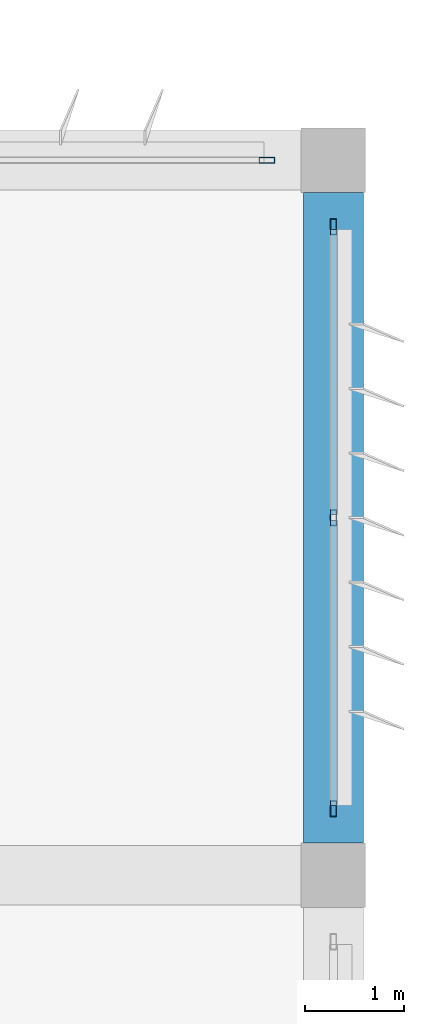
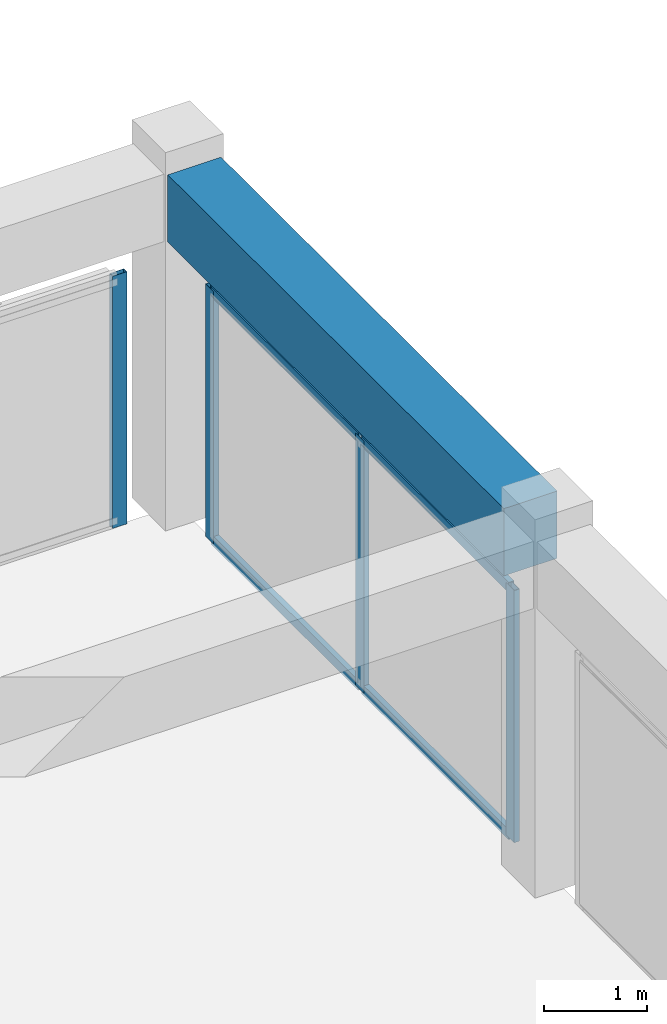
# One storey, part 31 of 56: 8 members, 1 beam, 2 elements without a shape of their own.
"""IFC4 building model written with IfcOpenShell, lengths in metres."""

from ifc_helpers import new_model, si_unit, direction, frame, origin, origin_2d, place, context, subcontext, project, spatial, rectangle, hollow_rectangle, extrude, material, material_profile, profile_set, type_object, element, aggregate, save


model = new_model("IFC4")

# Units and contexts
model_context = context("Model", 3, precision=1e-05, world=origin(), true_north=direction((0.0, 1.0)))
body_context = subcontext(model_context, "Body", "Model", "MODEL_VIEW")
ifc_project = project(units=[si_unit("LENGTHUNIT", "METRE"), si_unit("AREAUNIT", "SQUARE_METRE"), si_unit("VOLUMEUNIT", "CUBIC_METRE"), si_unit("PLANEANGLEUNIT", "RADIAN"), si_unit("MASSUNIT", "GRAM", prefix="KILO")], contexts=[model_context])

# Site, building, storey
site_placement = place(None, origin())
site = spatial("IfcSite", under=ifc_project, at=site_placement, CompositionType="ELEMENT")
building_placement = place(site_placement, origin())
building = spatial("IfcBuilding", under=site, at=building_placement, Name="Kazehaya Institute of Natural Sciences", CompositionType="ELEMENT")
storey_placement = place(building_placement, frame((0.0, 0.0, 28.800048828125)))
storey = spatial("IfcBuildingStorey", under=building, at=storey_placement, Name="L06", CompositionType="ELEMENT", Elevation=28.800048828125)

# Beam
ifc_material_1 = material(Name="Concrete Fc36", Category="concrete")
ifc_material_profile_1 = material_profile(ifc_material_1, rectangle(XDim=0.60009765625, YDim=0.800048828125, at=origin_2d()), Name="RC-600x800")
ifc_profile_set_1 = profile_set([ifc_material_profile_1], Name="Concrete Fc36")
beam_type = type_object("IfcBeamType", Name="BM-G-600x800", PredefinedType="BEAM", material=ifc_profile_set_1)
beam_placement = place(storey_placement, frame((119.39990234375, 28.72509765625, 3.829833984375), z_axis=(0.0, 1.0, 0.0), x_axis=(-1.0, 0.0, 0.0)))
element("IfcBeam", 1, at=beam_placement, inside=storey, type_object=beam_type, Name="L06 primary Y girder BMY-L06-1194-284", PredefinedType="BEAM", context=body_context, shape_type="SweptSolid", body=[
    extrude(rectangle(XDim=0.60009765625, YDim=0.800048828125, at=origin_2d()), origin(), (0.0, 0.0, 1.0), 6.5498046875),
])

# Curtain wall, member
ifc_material_2 = material(Name="Aluminium alloy A6063S-T5", Category="aluminium")
curtain_wall_type_1 = type_object("IfcCurtainWallType", Name="CW-SYS-04", PredefinedType="NOTDEFINED", material=ifc_material_2)
curtain_wall_1_placement = place(storey_placement, origin())
curtain_wall_1 = element("IfcCurtainWall", 2, at=curtain_wall_1_placement, inside=storey, type_object=curtain_wall_type_1, Name="L06 unitised curtain wall CW-L06-137", PredefinedType="NOTDEFINED")
ifc_material_profile_2 = material_profile(ifc_material_2, hollow_rectangle(XDim=0.06005859375, YDim=0.159912109375, WallThickness=0.00390625, at=origin_2d()), Name="ALU-60x160x4")
ifc_profile_set_2 = profile_set([ifc_material_profile_2], Name="Aluminium alloy A6063S-T5")
member_type_1 = type_object("IfcMemberType", Name="CWM-160", PredefinedType="MULLION", material=ifc_profile_set_2)
member_1_placement = place(storey_placement, frame((118.72998046875, 35.60009765625, 0.0), z_axis=(0.0, 0.0, 1.0), x_axis=(0.0, 1.0, 0.0)))
member_1 = element("IfcMember", 3, at=member_1_placement, type_object=member_type_1, Name="CW04 mullion 3", PredefinedType="MULLION", context=body_context, shape_type="SweptSolid", body=[
    extrude(hollow_rectangle(XDim=0.06005859375, YDim=0.159912109375, WallThickness=0.00390625, at=origin_2d()), origin(), (0.0, 0.0, 1.0), 3.0),
])
aggregate(curtain_wall_1, [member_1])

# Curtain wall, members
curtain_wall_type_2 = type_object("IfcCurtainWallType", Name="CW-SYS-10", PredefinedType="NOTDEFINED", material=ifc_material_2)
curtain_wall_2_placement = place(storey_placement, origin())
curtain_wall_2 = element("IfcCurtainWall", 4, at=curtain_wall_2_placement, inside=storey, type_object=curtain_wall_type_2, Name="L06 unitised curtain wall CW-L06-147", PredefinedType="NOTDEFINED")
member_2_placement = place(storey_placement, frame((119.39990234375, 34.929931640625, 0.0), z_axis=(0.0, 0.0, 1.0), x_axis=(1.0, 0.0, 0.0)))
member_2 = element("IfcMember", 5, at=member_2_placement, type_object=member_type_1, Name="CW10 mullion 1", PredefinedType="MULLION", context=body_context, shape_type="SweptSolid", body=[
    extrude(hollow_rectangle(XDim=0.06005859375, YDim=0.159912109375, WallThickness=0.00390625, at=origin_2d()), origin(), (0.0, 0.0, 1.0), 3.0),
])
member_3_placement = place(storey_placement, frame((119.39990234375, 32.0, 0.0), z_axis=(0.0, 0.0, 1.0), x_axis=(1.0, 0.0, 0.0)))
member_3 = element("IfcMember", 6, at=member_3_placement, type_object=member_type_1, Name="CW10 mullion 2", PredefinedType="MULLION", context=body_context, shape_type="SweptSolid", body=[
    extrude(hollow_rectangle(XDim=0.06005859375, YDim=0.159912109375, WallThickness=0.00390625, at=origin_2d()), origin(), (0.0, 0.0, 1.0), 3.0),
])
member_4_placement = place(storey_placement, frame((119.39990234375, 29.070068359375, 0.0), z_axis=(0.0, 0.0, 1.0), x_axis=(1.0, 0.0, 0.0)))
member_4 = element("IfcMember", 7, at=member_4_placement, type_object=member_type_1, Name="CW10 mullion 3", PredefinedType="MULLION", context=body_context, shape_type="SweptSolid", body=[
    extrude(hollow_rectangle(XDim=0.06005859375, YDim=0.159912109375, WallThickness=0.00390625, at=origin_2d()), origin(), (0.0, 0.0, 1.0), 3.0),
])
ifc_material_profile_3 = material_profile(ifc_material_2, hollow_rectangle(XDim=0.06005859375, YDim=0.1201171875, WallThickness=0.00341796875, at=origin_2d()), Name="ALU-60x120x3.5")
ifc_profile_set_3 = profile_set([ifc_material_profile_3], Name="Aluminium alloy A6063S-T5")
member_type_2 = type_object("IfcMemberType", Name="CWT-120", PredefinedType="USERDEFINED", material=ifc_profile_set_3)
member_5_placement = place(storey_placement, frame((119.39990234375, 34.89990234375, 0.030029296875), z_axis=(0.0, -1.0, 0.0), x_axis=(1.0, 0.0, 0.0)))
member_5 = element("IfcMember", 8, at=member_5_placement, type_object=member_type_2, Name="CW10 transom 1.1", ObjectType="TRANSOM", PredefinedType="USERDEFINED", context=body_context, shape_type="SweptSolid", body=[
    extrude(hollow_rectangle(XDim=0.06005859375, YDim=0.1201171875, WallThickness=0.00341796875, at=origin_2d()), origin(), (0.0, 0.0, 1.0), 2.869873046875),
])
member_6_placement = place(storey_placement, frame((119.39990234375, 34.89990234375, 2.969970703125), z_axis=(0.0, -1.0, 0.0), x_axis=(1.0, 0.0, 0.0)))
member_6 = element("IfcMember", 9, at=member_6_placement, type_object=member_type_2, Name="CW10 transom 1.2", ObjectType="TRANSOM", PredefinedType="USERDEFINED", context=body_context, shape_type="SweptSolid", body=[
    extrude(hollow_rectangle(XDim=0.06005859375, YDim=0.1201171875, WallThickness=0.00341796875, at=origin_2d()), origin(), (0.0, 0.0, 1.0), 2.869873046875),
])
member_7_placement = place(storey_placement, frame((119.39990234375, 31.969970703125, 0.030029296875), z_axis=(0.0, -1.0, 0.0), x_axis=(1.0, 0.0, 0.0)))
member_7 = element("IfcMember", 10, at=member_7_placement, type_object=member_type_2, Name="CW10 transom 2.1", ObjectType="TRANSOM", PredefinedType="USERDEFINED", context=body_context, shape_type="SweptSolid", body=[
    extrude(hollow_rectangle(XDim=0.06005859375, YDim=0.1201171875, WallThickness=0.00341796875, at=origin_2d()), origin(), (0.0, 0.0, 1.0), 2.869873046875),
])
member_8_placement = place(storey_placement, frame((119.39990234375, 31.969970703125, 2.969970703125), z_axis=(0.0, -1.0, 0.0), x_axis=(1.0, 0.0, 0.0)))
member_8 = element("IfcMember", 11, at=member_8_placement, type_object=member_type_2, Name="CW10 transom 2.2", ObjectType="TRANSOM", PredefinedType="USERDEFINED", context=body_context, shape_type="SweptSolid", body=[
    extrude(hollow_rectangle(XDim=0.06005859375, YDim=0.1201171875, WallThickness=0.00341796875, at=origin_2d()), origin(), (0.0, 0.0, 1.0), 2.869873046875),
])
aggregate(curtain_wall_2, [member_2, member_3, member_4, member_5, member_6, member_7, member_8])

save(model, "model.ifc")
